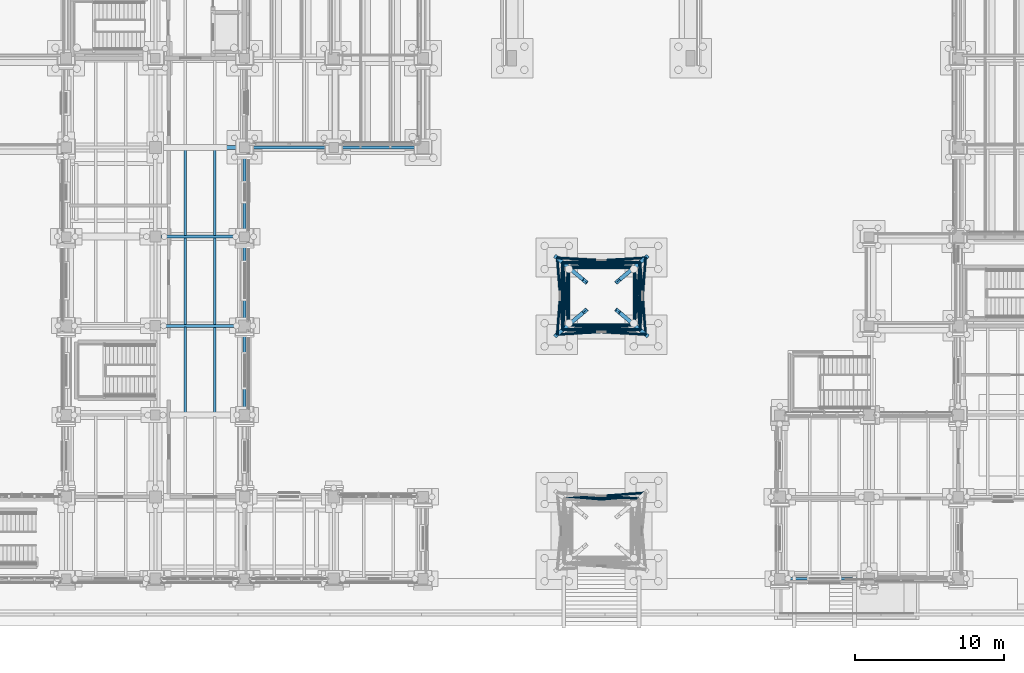
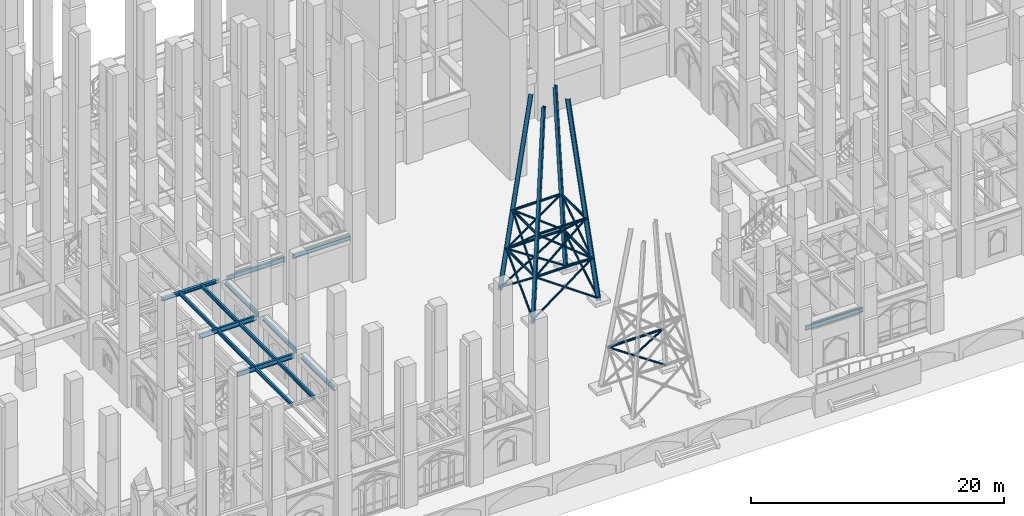
# One storey, part 40 of 135: 39 members, 15 beams.
"""IFC4 building model written with IfcOpenShell, lengths in metres."""

from ifc_helpers import new_model, si_unit, direction, frame, origin, origin_2d, place, context, subcontext, project, spatial, hollow_circle, i_section, extrude, material, material_profile, profile_set, type_object, element, save


model = new_model("IFC4")

# Units and contexts
model_context = context("Model", 3, precision=1e-05, world=origin(), true_north=direction((0.0, 1.0)))
body_context = subcontext(model_context, "Body", "Model", "MODEL_VIEW")
ifc_project = project(units=[si_unit("LENGTHUNIT", "METRE"), si_unit("AREAUNIT", "SQUARE_METRE"), si_unit("VOLUMEUNIT", "CUBIC_METRE"), si_unit("PLANEANGLEUNIT", "RADIAN"), si_unit("MASSUNIT", "GRAM", prefix="KILO")], contexts=[model_context])

# Site, building, storey
site_placement = place(None, origin())
site = spatial("IfcSite", under=ifc_project, at=site_placement, CompositionType="ELEMENT")
building_placement = place(site_placement, origin())
building = spatial("IfcBuilding", under=site, at=building_placement, Name="Cumevento Cable Car Station", CompositionType="ELEMENT")
storey_placement = place(building_placement, origin())
storey = spatial("IfcBuildingStorey", under=building, at=storey_placement, Name="L01", CompositionType="ELEMENT", Elevation=0.0)

# Members
ifc_material_1 = material(Name="Steel ASTM A572 Grade 50", Category="steel")
ifc_material_profile_1 = material_profile(ifc_material_1, hollow_circle(Radius=0.109619140625, WallThickness=0.012451171875, at=origin_2d()), Name="CHS219.1x12.5")
ifc_profile_set_1 = profile_set([ifc_material_profile_1], Name="Steel ASTM A572 Grade 50")
member_type_1 = type_object("IfcMemberType", Name="Framing Brace TD-01 CHS219.1x12.5", PredefinedType="BRACE", material=ifc_profile_set_1)
member_1_placement = place(storey_placement, frame((91.4013671875, 20.738037109375, 4.080078125), z_axis=(1.0, 0.0, 0.0), x_axis=(0.0, 1.0, 0.0)))
element("IfcMember", 1, at=member_1_placement, inside=storey, type_object=member_type_1, Name="PYLON_S01 Horizontal Lattice Girt #497", PredefinedType="BRACE", context=body_context, shape_type="SweptSolid", body=[
    extrude(hollow_circle(Radius=0.109619140625, WallThickness=0.012451171875, at=origin_2d()), origin(), (0.0, 0.0, 1.0), 5.197265625),
])
member_2_placement = place(storey_placement, frame((96.5986328125, 20.738037109375, 4.080078125), z_axis=(0.0, 1.0, 0.0), x_axis=(-1.0, 0.0, 0.0)))
element("IfcMember", 2, at=member_2_placement, inside=storey, type_object=member_type_1, Name="PYLON_S01 Horizontal Lattice Girt #501", PredefinedType="BRACE", context=body_context, shape_type="SweptSolid", body=[
    extrude(hollow_circle(Radius=0.109619140625, WallThickness=0.012451171875, at=origin_2d()), origin(), (0.0, 0.0, 1.0), 4.52392578125),
])
member_3_placement = place(storey_placement, frame((96.5986328125, 25.261962890625, 4.080078125), z_axis=(-1.0, 0.0, 0.0), x_axis=(0.0, -1.0, 0.0)))
element("IfcMember", 3, at=member_3_placement, inside=storey, type_object=member_type_1, Name="PYLON_S01 Horizontal Lattice Girt #505", PredefinedType="BRACE", context=body_context, shape_type="SweptSolid", body=[
    extrude(hollow_circle(Radius=0.109619140625, WallThickness=0.012451171875, at=origin_2d()), origin(), (0.0, 0.0, 1.0), 5.197265625),
])
member_4_placement = place(storey_placement, frame((91.4013671875, 25.261962890625, 4.080078125), z_axis=(0.0, -1.0, 0.0), x_axis=(1.0, 0.0, 0.0)))
element("IfcMember", 4, at=member_4_placement, inside=storey, type_object=member_type_1, Name="PYLON_S01 Horizontal Lattice Girt #509", PredefinedType="BRACE", context=body_context, shape_type="SweptSolid", body=[
    extrude(hollow_circle(Radius=0.109619140625, WallThickness=0.012451171875, at=origin_2d()), origin(), (0.0, 0.0, 1.0), 4.52392578125),
])
member_5_placement = place(storey_placement, frame((91.776123046875, 21.053466796875, 7.860107421875), z_axis=(1.0, 0.0, 0.0), x_axis=(0.0, 1.0, 0.0)))
element("IfcMember", 5, at=member_5_placement, inside=storey, type_object=member_type_1, Name="PYLON_S01 Horizontal Lattice Girt #513", PredefinedType="BRACE", context=body_context, shape_type="SweptSolid", body=[
    extrude(hollow_circle(Radius=0.109619140625, WallThickness=0.012451171875, at=origin_2d()), origin(), (0.0, 0.0, 1.0), 4.44775390625),
])
member_6_placement = place(storey_placement, frame((96.223876953125, 21.053466796875, 7.860107421875), z_axis=(0.0, 1.0, 0.0), x_axis=(-1.0, 0.0, 0.0)))
element("IfcMember", 6, at=member_6_placement, inside=storey, type_object=member_type_1, Name="PYLON_S01 Horizontal Lattice Girt #517", PredefinedType="BRACE", context=body_context, shape_type="SweptSolid", body=[
    extrude(hollow_circle(Radius=0.109619140625, WallThickness=0.012451171875, at=origin_2d()), origin(), (0.0, 0.0, 1.0), 3.89306640625),
])
member_7_placement = place(storey_placement, frame((96.223876953125, 24.946533203125, 7.860107421875), z_axis=(-1.0, 0.0, 0.0), x_axis=(0.0, -1.0, 0.0)))
element("IfcMember", 7, at=member_7_placement, inside=storey, type_object=member_type_1, Name="PYLON_S01 Horizontal Lattice Girt #521", PredefinedType="BRACE", context=body_context, shape_type="SweptSolid", body=[
    extrude(hollow_circle(Radius=0.109619140625, WallThickness=0.012451171875, at=origin_2d()), origin(), (0.0, 0.0, 1.0), 4.44775390625),
])
member_8_placement = place(storey_placement, frame((91.776123046875, 24.946533203125, 7.860107421875), z_axis=(0.0, -1.0, 0.0), x_axis=(1.0, 0.0, 0.0)))
element("IfcMember", 8, at=member_8_placement, inside=storey, type_object=member_type_1, Name="PYLON_S01 Horizontal Lattice Girt #525", PredefinedType="BRACE", context=body_context, shape_type="SweptSolid", body=[
    extrude(hollow_circle(Radius=0.109619140625, WallThickness=0.012451171875, at=origin_2d()), origin(), (0.0, 0.0, 1.0), 3.89306640625),
])
member_9_placement = place(storey_placement, frame((96.50048828125, 9.37939453125, 4.175048828125), z_axis=(-1.0, 0.0, 0.0), x_axis=(0.0, -1.0, 0.0)))
element("IfcMember", 9, at=member_9_placement, inside=storey, type_object=member_type_1, Name="PYLON_S02 Horizontal Lattice Girt #595", PredefinedType="BRACE", context=body_context, shape_type="SweptSolid", body=[
    extrude(hollow_circle(Radius=0.109619140625, WallThickness=0.012451171875, at=origin_2d()), origin(), (0.0, 0.0, 1.0), 5.0009765625),
])
ifc_material_2 = material(Name="Steel ASTM A572 Grade 50", Category="steel")
ifc_material_profile_2 = material_profile(ifc_material_2, hollow_circle(Radius=0.084228515625, WallThickness=0.010009765625, at=origin_2d()), Name="CHS168.3x10.0")
ifc_profile_set_2 = profile_set([ifc_material_profile_2], Name="Steel ASTM A572 Grade 50")
member_type_2 = type_object("IfcMemberType", Name="Framing Brace TD-02 CHS168.3x10.0", PredefinedType="BRACE", material=ifc_profile_set_2)
member_10_placement = place(storey_placement, frame((91.02685546875, 20.422607421875, 0.300048828125), z_axis=(0.826625703479, 0.046796968228, 0.560802986897), x_axis=(-0.05652153987, 0.998401379972, 0.0)))
element("IfcMember", 10, at=member_10_placement, inside=storey, type_object=member_type_2, Name="PYLON_S01 Lattice X-Brace A #498", PredefinedType="BRACE", context=body_context, shape_type="SweptSolid", body=[
    extrude(hollow_circle(Radius=0.084228515625, WallThickness=0.010009765625, at=origin_2d()), origin(), (0.0, 0.0, 1.0), 6.740478515625),
])
member_11_placement = place(storey_placement, frame((96.97314453125, 20.422607421875, 0.300048828125), z_axis=(-0.826621974621, 0.046780701326, 0.560809840371), x_axis=(-0.056502209448, -0.998402474119, 0.0)))
element("IfcMember", 11, at=member_11_placement, inside=storey, type_object=member_type_2, Name="PYLON_S01 Lattice X-Brace B Lower #499", PredefinedType="BRACE", context=body_context, shape_type="SweptSolid", body=[
    extrude(hollow_circle(Radius=0.084228515625, WallThickness=0.010009765625, at=origin_2d()), origin(), (0.0, 0.0, 1.0), 3.49658203125),
])
member_12_placement = place(storey_placement, frame((93.917236328125, 20.595703125, 2.373291015625), z_axis=(-0.826632954183, 0.046766328218, 0.560794855186), x_axis=(-0.056484157004, -0.998403495591, 0.0)))
element("IfcMember", 12, at=member_12_placement, inside=storey, type_object=member_type_2, Name="PYLON_S01 Lattice X-Brace B Upper #500", PredefinedType="BRACE", context=body_context, shape_type="SweptSolid", body=[
    extrude(hollow_circle(Radius=0.084228515625, WallThickness=0.010009765625, at=origin_2d()), origin(), (0.0, 0.0, 1.0), 3.04345703125),
])
member_13_placement = place(storey_placement, frame((96.97314453125, 20.422607421875, 0.300048828125), z_axis=(-0.060875502124, 0.786619428359, 0.614429856184), x_axis=(-0.997018873771, -0.077158054302, 0.0)))
element("IfcMember", 13, at=member_13_placement, inside=storey, type_object=member_type_2, Name="PYLON_S01 Lattice X-Brace A #502", PredefinedType="BRACE", context=body_context, shape_type="SweptSolid", body=[
    extrude(hollow_circle(Radius=0.084228515625, WallThickness=0.010009765625, at=origin_2d()), origin(), (0.0, 0.0, 1.0), 6.152099609375),
])
member_14_placement = place(storey_placement, frame((96.97314453125, 25.577392578125, 0.300048828125), z_axis=(-0.060871497575, -0.786641133437, 0.614402464162), x_axis=(0.997019427972, -0.077150892717, 0.0)))
element("IfcMember", 14, at=member_14_placement, inside=storey, type_object=member_type_2, Name="PYLON_S01 Lattice X-Brace B Lower #503", PredefinedType="BRACE", context=body_context, shape_type="SweptSolid", body=[
    extrude(hollow_circle(Radius=0.084228515625, WallThickness=0.010009765625, at=origin_2d()), origin(), (0.0, 0.0, 1.0), 3.176513671875),
])
member_15_placement = place(storey_placement, frame((96.767578125, 22.92138671875, 2.37451171875), z_axis=(-0.060865823118, -0.786594011768, 0.614463353038), x_axis=(0.997019625706, -0.077148337358, 0.0)))
element("IfcMember", 15, at=member_15_placement, inside=storey, type_object=member_type_2, Name="PYLON_S01 Lattice X-Brace B Upper #504", PredefinedType="BRACE", context=body_context, shape_type="SweptSolid", body=[
    extrude(hollow_circle(Radius=0.084228515625, WallThickness=0.010009765625, at=origin_2d()), origin(), (0.0, 0.0, 1.0), 2.775634765625),
])
member_16_placement = place(storey_placement, frame((96.97314453125, 25.577392578125, 0.300048828125), z_axis=(-0.826625703479, -0.046796968228, 0.560802986897), x_axis=(0.05652153987, -0.998401379972, 0.0)))
element("IfcMember", 16, at=member_16_placement, inside=storey, type_object=member_type_2, Name="PYLON_S01 Lattice X-Brace A #506", PredefinedType="BRACE", context=body_context, shape_type="SweptSolid", body=[
    extrude(hollow_circle(Radius=0.084228515625, WallThickness=0.010009765625, at=origin_2d()), origin(), (0.0, 0.0, 1.0), 6.740478515625),
])
member_17_placement = place(storey_placement, frame((91.02685546875, 25.577392578125, 0.300048828125), z_axis=(0.826621974621, -0.046780701326, 0.560809840371), x_axis=(0.056502209448, 0.998402474119, 0.0)))
element("IfcMember", 17, at=member_17_placement, inside=storey, type_object=member_type_2, Name="PYLON_S01 Lattice X-Brace B Lower #507", PredefinedType="BRACE", context=body_context, shape_type="SweptSolid", body=[
    extrude(hollow_circle(Radius=0.084228515625, WallThickness=0.010009765625, at=origin_2d()), origin(), (0.0, 0.0, 1.0), 3.49658203125),
])
member_18_placement = place(storey_placement, frame((94.082763671875, 25.404296875, 2.373291015625), z_axis=(0.826632954183, -0.046766328218, 0.560794855186), x_axis=(0.056484157004, 0.998403495591, 0.0)))
element("IfcMember", 18, at=member_18_placement, inside=storey, type_object=member_type_2, Name="PYLON_S01 Lattice X-Brace B Upper #508", PredefinedType="BRACE", context=body_context, shape_type="SweptSolid", body=[
    extrude(hollow_circle(Radius=0.084228515625, WallThickness=0.010009765625, at=origin_2d()), origin(), (0.0, 0.0, 1.0), 3.04345703125),
])
member_19_placement = place(storey_placement, frame((91.02685546875, 25.577392578125, 0.300048828125), z_axis=(0.060875502124, -0.786619428359, 0.614429856184), x_axis=(0.997018873771, 0.077158054302, 0.0)))
element("IfcMember", 19, at=member_19_placement, inside=storey, type_object=member_type_2, Name="PYLON_S01 Lattice X-Brace A #510", PredefinedType="BRACE", context=body_context, shape_type="SweptSolid", body=[
    extrude(hollow_circle(Radius=0.084228515625, WallThickness=0.010009765625, at=origin_2d()), origin(), (0.0, 0.0, 1.0), 6.152099609375),
])
member_20_placement = place(storey_placement, frame((91.02685546875, 20.422607421875, 0.300048828125), z_axis=(0.060871497575, 0.786641133437, 0.614402464162), x_axis=(-0.997019427972, 0.077150892717, 0.0)))
element("IfcMember", 20, at=member_20_placement, inside=storey, type_object=member_type_2, Name="PYLON_S01 Lattice X-Brace B Lower #511", PredefinedType="BRACE", context=body_context, shape_type="SweptSolid", body=[
    extrude(hollow_circle(Radius=0.084228515625, WallThickness=0.010009765625, at=origin_2d()), origin(), (0.0, 0.0, 1.0), 3.176513671875),
])
member_21_placement = place(storey_placement, frame((91.232421875, 23.07861328125, 2.37451171875), z_axis=(0.060865823118, 0.786594011768, 0.614463353038), x_axis=(-0.997019625706, 0.077148337358, 0.0)))
element("IfcMember", 21, at=member_21_placement, inside=storey, type_object=member_type_2, Name="PYLON_S01 Lattice X-Brace B Upper #512", PredefinedType="BRACE", context=body_context, shape_type="SweptSolid", body=[
    extrude(hollow_circle(Radius=0.084228515625, WallThickness=0.010009765625, at=origin_2d()), origin(), (0.0, 0.0, 1.0), 2.775634765625),
])
member_22_placement = place(storey_placement, frame((91.4013671875, 20.738037109375, 4.080078125), z_axis=(0.785997369838, 0.051410347888, 0.616088557545), x_axis=(-0.065268320402, 0.997867749931, 0.0)))
element("IfcMember", 22, at=member_22_placement, inside=storey, type_object=member_type_2, Name="PYLON_S01 Lattice X-Brace A #514", PredefinedType="BRACE", context=body_context, shape_type="SweptSolid", body=[
    extrude(hollow_circle(Radius=0.084228515625, WallThickness=0.010009765625, at=origin_2d()), origin(), (0.0, 0.0, 1.0), 6.135498046875),
])
member_23_placement = place(storey_placement, frame((96.5986328125, 20.738037109375, 4.080078125), z_axis=(-0.786023477359, 0.051401457781, 0.616055990296), x_axis=(-0.065254923717, -0.997868626088, 0.0)))
element("IfcMember", 23, at=member_23_placement, inside=storey, type_object=member_type_2, Name="PYLON_S01 Lattice X-Brace B Lower #515", PredefinedType="BRACE", context=body_context, shape_type="SweptSolid", body=[
    extrude(hollow_circle(Radius=0.084228515625, WallThickness=0.010009765625, at=origin_2d()), origin(), (0.0, 0.0, 1.0), 3.2060546875),
])
member_24_placement = place(storey_placement, frame((93.92138671875, 20.9130859375, 6.178466796875), z_axis=(-0.78597549708, 0.051432333085, 0.616114626594), x_axis=(-0.065297922231, -0.9978658133, 0.0)))
element("IfcMember", 24, at=member_24_placement, inside=storey, type_object=member_type_2, Name="PYLON_S01 Lattice X-Brace B Upper #516", PredefinedType="BRACE", context=body_context, shape_type="SweptSolid", body=[
    extrude(hollow_circle(Radius=0.084228515625, WallThickness=0.010009765625, at=origin_2d()), origin(), (0.0, 0.0, 1.0), 2.7294921875),
])
member_25_placement = place(storey_placement, frame((96.5986328125, 20.738037109375, 4.080078125), z_axis=(-0.066103141354, 0.742336124212, 0.666758916996), x_axis=(-0.99605869936, -0.088696490516, 0.0)))
element("IfcMember", 25, at=member_25_placement, inside=storey, type_object=member_type_2, Name="PYLON_S01 Lattice X-Brace A #518", PredefinedType="BRACE", context=body_context, shape_type="SweptSolid", body=[
    extrude(hollow_circle(Radius=0.084228515625, WallThickness=0.010009765625, at=origin_2d()), origin(), (0.0, 0.0, 1.0), 5.669189453125),
])
member_26_placement = place(storey_placement, frame((96.5986328125, 25.261962890625, 4.080078125), z_axis=(-0.06610940311, -0.742363861241, 0.666727413823), x_axis=(0.996058249868, -0.088701538154, 0.0)))
element("IfcMember", 26, at=member_26_placement, inside=storey, type_object=member_type_2, Name="PYLON_S01 Lattice X-Brace B Lower #519", PredefinedType="BRACE", context=body_context, shape_type="SweptSolid", body=[
    extrude(hollow_circle(Radius=0.084228515625, WallThickness=0.010009765625, at=origin_2d()), origin(), (0.0, 0.0, 1.0), 2.947021484375),
])
member_27_placement = place(storey_placement, frame((96.390625, 22.92578125, 6.178466796875), z_axis=(-0.066113241056, -0.742346186903, 0.666746712138), x_axis=(0.996057608273, -0.088708742528, 0.0)))
element("IfcMember", 27, at=member_27_placement, inside=storey, type_object=member_type_2, Name="PYLON_S01 Lattice X-Brace B Upper #520", PredefinedType="BRACE", context=body_context, shape_type="SweptSolid", body=[
    extrude(hollow_circle(Radius=0.084228515625, WallThickness=0.010009765625, at=origin_2d()), origin(), (0.0, 0.0, 1.0), 2.522216796875),
])
member_28_placement = place(storey_placement, frame((96.5986328125, 25.261962890625, 4.080078125), z_axis=(-0.785997369838, -0.051410347888, 0.616088557545), x_axis=(0.065268320402, -0.997867749931, 0.0)))
element("IfcMember", 28, at=member_28_placement, inside=storey, type_object=member_type_2, Name="PYLON_S01 Lattice X-Brace A #522", PredefinedType="BRACE", context=body_context, shape_type="SweptSolid", body=[
    extrude(hollow_circle(Radius=0.084228515625, WallThickness=0.010009765625, at=origin_2d()), origin(), (0.0, 0.0, 1.0), 6.135498046875),
])
member_29_placement = place(storey_placement, frame((91.4013671875, 25.261962890625, 4.080078125), z_axis=(0.786023477359, -0.051401457781, 0.616055990296), x_axis=(0.065254923717, 0.997868626088, 0.0)))
element("IfcMember", 29, at=member_29_placement, inside=storey, type_object=member_type_2, Name="PYLON_S01 Lattice X-Brace B Lower #523", PredefinedType="BRACE", context=body_context, shape_type="SweptSolid", body=[
    extrude(hollow_circle(Radius=0.084228515625, WallThickness=0.010009765625, at=origin_2d()), origin(), (0.0, 0.0, 1.0), 3.2060546875),
])
member_30_placement = place(storey_placement, frame((94.07861328125, 25.0869140625, 6.178466796875), z_axis=(0.78597549708, -0.051432333085, 0.616114626594), x_axis=(0.065297922231, 0.9978658133, 0.0)))
element("IfcMember", 30, at=member_30_placement, inside=storey, type_object=member_type_2, Name="PYLON_S01 Lattice X-Brace B Upper #524", PredefinedType="BRACE", context=body_context, shape_type="SweptSolid", body=[
    extrude(hollow_circle(Radius=0.084228515625, WallThickness=0.010009765625, at=origin_2d()), origin(), (0.0, 0.0, 1.0), 2.7294921875),
])
member_31_placement = place(storey_placement, frame((91.4013671875, 25.261962890625, 4.080078125), z_axis=(0.066103141354, -0.742336124212, 0.666758916996), x_axis=(0.99605869936, 0.088696490516, 0.0)))
element("IfcMember", 31, at=member_31_placement, inside=storey, type_object=member_type_2, Name="PYLON_S01 Lattice X-Brace A #526", PredefinedType="BRACE", context=body_context, shape_type="SweptSolid", body=[
    extrude(hollow_circle(Radius=0.084228515625, WallThickness=0.010009765625, at=origin_2d()), origin(), (0.0, 0.0, 1.0), 5.669189453125),
])
member_32_placement = place(storey_placement, frame((91.4013671875, 20.738037109375, 4.080078125), z_axis=(0.06610940311, 0.742363861241, 0.666727413823), x_axis=(-0.996058249868, 0.088701538154, 0.0)))
element("IfcMember", 32, at=member_32_placement, inside=storey, type_object=member_type_2, Name="PYLON_S01 Lattice X-Brace B Lower #527", PredefinedType="BRACE", context=body_context, shape_type="SweptSolid", body=[
    extrude(hollow_circle(Radius=0.084228515625, WallThickness=0.010009765625, at=origin_2d()), origin(), (0.0, 0.0, 1.0), 2.947021484375),
])
member_33_placement = place(storey_placement, frame((91.609375, 23.07421875, 6.178466796875), z_axis=(0.066113241056, 0.742346186903, 0.666746712138), x_axis=(-0.996057608273, 0.088708742528, 0.0)))
element("IfcMember", 33, at=member_33_placement, inside=storey, type_object=member_type_2, Name="PYLON_S01 Lattice X-Brace B Upper #528", PredefinedType="BRACE", context=body_context, shape_type="SweptSolid", body=[
    extrude(hollow_circle(Radius=0.084228515625, WallThickness=0.010009765625, at=origin_2d()), origin(), (0.0, 0.0, 1.0), 2.522216796875),
])
member_34_placement = place(storey_placement, frame((96.967529296875, 9.772705078125, 0.300048828125), z_axis=(-0.814494894131, -0.058586028238, 0.577205114955), x_axis=(0.071743920589, -0.997423084683, 0.0)))
element("IfcMember", 34, at=member_34_placement, inside=storey, type_object=member_type_2, Name="PYLON_S02 Lattice X-Brace A #596", PredefinedType="BRACE", context=body_context, shape_type="SweptSolid", body=[
    extrude(hollow_circle(Radius=0.084228515625, WallThickness=0.010009765625, at=origin_2d()), origin(), (0.0, 0.0, 1.0), 6.71337890625),
])
member_35_placement = place(storey_placement, frame((94.08154296875, 9.553466796875, 2.460693359375), z_axis=(0.814472985825, -0.058611146437, 0.57723347865), x_axis=(0.07177644238, 0.997420744881, 0.0)))
element("IfcMember", 35, at=member_35_placement, inside=storey, type_object=member_type_2, Name="PYLON_S02 Lattice X-Brace B Upper #598", PredefinedType="BRACE", context=body_context, shape_type="SweptSolid", body=[
    extrude(hollow_circle(Radius=0.084228515625, WallThickness=0.010009765625, at=origin_2d()), origin(), (0.0, 0.0, 1.0), 2.969970703125),
])
ifc_material_3 = material(Name="Steel ASTM A572 Grade 50", Category="steel")
ifc_material_profile_3 = material_profile(ifc_material_3, i_section(OverallWidth=0.257080078125, OverallDepth=0.363037109375, WebThickness=0.012939453125, FlangeThickness=0.021728515625, at=origin_2d()), Name="W360x122.0")
ifc_profile_set_3 = profile_set([ifc_material_profile_3], Name="Steel ASTM A572 Grade 50")
member_type_3 = type_object("IfcMemberType", Name="Framing Chord TC-01 W360x122.0", PredefinedType="CHORD", material=ifc_profile_set_3)
for number, where, z_axis, x_axis, name in (
    (36, (91.0, 20.39990234375, 0.030029296875), (0.098286843479, 0.082777174526, 0.991709451289), (-0.644178118457, 0.764875513859, 0.0), "PYLON_S01 Tapered Lattice Corner Leg #493"),
    (37, (97.0, 20.39990234375, 0.030029296875), (-0.098286843479, 0.082777174526, 0.991709451289), (-0.644178118457, -0.764875513859, 0.0), "PYLON_S01 Tapered Lattice Corner Leg #494"),
    (38, (97.0, 25.60009765625, 0.030029296875), (-0.098286843479, -0.082777174526, 0.991709451289), (0.644178118457, -0.764875513859, 0.0), "PYLON_S01 Tapered Lattice Corner Leg #495"),
    (39, (91.0, 25.60009765625, 0.030029296875), (0.098286843479, -0.082777174526, 0.991709451289), (0.644178118457, 0.764875513859, 0.0), "PYLON_S01 Tapered Lattice Corner Leg #496"),
):
    element("IfcMember", number, at=place(storey_placement, frame(where, z_axis=z_axis, x_axis=x_axis)), inside=storey, type_object=member_type_3, Name=name, PredefinedType="CHORD", context=body_context, shape_type="SweptSolid", body=[
        extrude(i_section(OverallWidth=0.257080078125, OverallDepth=0.363037109375, WebThickness=0.012939453125, FlangeThickness=0.021728515625, at=origin_2d()), origin(), (0.0, 0.0, 1.0), 19.330078125),
    ])

# Beams
ifc_material_4 = material(Name="Steel ASTM A572 Grade 50", Category="steel")
ifc_material_profile_4 = material_profile(ifc_material_4, i_section(OverallWidth=0.18994140625, OverallDepth=0.45703125, WebThickness=0.009033203125, FlangeThickness=0.014404296875, at=origin_2d()), Name="W460x74.0")
ifc_profile_set_4 = profile_set([ifc_material_profile_4], Name="Steel ASTM A572 Grade 50")
beam_type_1 = type_object("IfcBeamType", Name="Structural Beam BM-04 W460x74.0", PredefinedType="BEAM", material=ifc_profile_set_4)
beam_1_placement = place(storey_placement, frame((64.375, 27.0, 4.0234375), z_axis=(1.0, 0.0, 0.0), x_axis=(0.0, 1.0, 0.0)))
element("IfcBeam", 40, at=beam_1_placement, inside=storey, type_object=beam_type_1, Name="Beam BM-04 L01 #57", PredefinedType="BEAM", context=body_context, shape_type="SweptSolid", body=[
    extrude(i_section(OverallWidth=0.18994140625, OverallDepth=0.45703125, WebThickness=0.009033203125, FlangeThickness=0.014404296875, at=origin_2d()), origin(), (0.0, 0.0, 1.0), 5.300048828125),
])
ifc_material_5 = material(Name="Steel ASTM A572 Grade 50", Category="steel")
ifc_material_profile_5 = material_profile(ifc_material_5, i_section(OverallWidth=0.25390625, OverallDepth=0.305908203125, WebThickness=0.0087890625, FlangeThickness=0.0146484375, at=origin_2d()), Name="W310x79.0")
ifc_profile_set_5 = profile_set([ifc_material_profile_5], Name="Steel ASTM A572 Grade 50")
beam_type_2 = type_object("IfcBeamType", Name="Structural Beam BM-06 W310x79.0", PredefinedType="BEAM", material=ifc_profile_set_5)
beam_2_placement = place(storey_placement, frame((64.39990234375, 33.0, 3.95703125), z_axis=(1.0, 0.0, 0.0), x_axis=(0.0, 1.0, 0.0)))
element("IfcBeam", 41, at=beam_2_placement, inside=storey, type_object=beam_type_2, Name="Beam BM-06 L01 #59", PredefinedType="BEAM", context=body_context, shape_type="SweptSolid", body=[
    extrude(i_section(OverallWidth=0.25390625, OverallDepth=0.305908203125, WebThickness=0.0087890625, FlangeThickness=0.0146484375, at=origin_2d()), origin(), (0.0, 0.0, 1.0), 5.25),
])
ifc_material_6 = material(Name="Steel ASTM A572 Grade 50", Category="steel")
ifc_material_profile_6 = material_profile(ifc_material_6, i_section(OverallWidth=0.19189453125, OverallDepth=0.462890625, WebThickness=0.010498046875, FlangeThickness=0.017578125, at=origin_2d()), Name="W460x89.0")
ifc_profile_set_6 = profile_set([ifc_material_profile_6], Name="Steel ASTM A572 Grade 50")
beam_type_3 = type_object("IfcBeamType", Name="Structural Beam BM-10 W460x89.0", PredefinedType="BEAM", material=ifc_profile_set_6)
beam_3_placement = place(storey_placement, frame((64.35009765625, 21.0, 4.0205078125), z_axis=(1.0, 0.0, 0.0), x_axis=(0.0, 1.0, 0.0)))
element("IfcBeam", 42, at=beam_3_placement, inside=storey, type_object=beam_type_3, Name="Beam BM-10 L01 #55", PredefinedType="BEAM", context=body_context, shape_type="SweptSolid", body=[
    extrude(i_section(OverallWidth=0.19189453125, OverallDepth=0.462890625, WebThickness=0.010498046875, FlangeThickness=0.017578125, at=origin_2d()), origin(), (0.0, 0.0, 1.0), 5.25),
])
ifc_material_7 = material(Name="Steel ASTM A572 Grade 50", Category="steel")
ifc_material_profile_7 = material_profile(ifc_material_7, i_section(OverallWidth=0.1708984375, OverallDepth=0.35498046875, WebThickness=0.007080078125, FlangeThickness=0.01171875, at=origin_2d()), Name="W360x51.0")
ifc_profile_set_7 = profile_set([ifc_material_profile_7], Name="Steel ASTM A572 Grade 50")
beam_type_4 = type_object("IfcBeamType", Name="Structural Joist JS-01 W360x51.0", PredefinedType="JOIST", material=ifc_profile_set_7)
beam_4_placement = place(storey_placement, frame((66.0, 15.089599609375, 4.074462890625), z_axis=(0.0, 1.0, 0.0), x_axis=(-1.0, 0.0, 0.0)))
element("IfcBeam", 43, at=beam_4_placement, inside=storey, type_object=beam_type_4, Name="Composite Floor Joist JS-01 L01 #344", PredefinedType="JOIST", context=body_context, shape_type="SweptSolid", body=[
    extrude(i_section(OverallWidth=0.1708984375, OverallDepth=0.35498046875, WebThickness=0.007080078125, FlangeThickness=0.01171875, at=origin_2d()), origin(), (0.0, 0.0, 1.0), 5.826416015625),
])
beam_5_placement = place(storey_placement, frame((66.0, 21.083984375, 4.074462890625), z_axis=(0.0, 1.0, 0.0), x_axis=(-1.0, 0.0, 0.0)))
element("IfcBeam", 44, at=beam_5_placement, inside=storey, type_object=beam_type_4, Name="Composite Floor Joist JS-01 L01 #345", PredefinedType="JOIST", context=body_context, shape_type="SweptSolid", body=[
    extrude(i_section(OverallWidth=0.1708984375, OverallDepth=0.35498046875, WebThickness=0.007080078125, FlangeThickness=0.01171875, at=origin_2d()), origin(), (0.0, 0.0, 1.0), 5.8330078125),
])
beam_6_placement = place(storey_placement, frame((66.0, 27.0830078125, 4.074462890625), z_axis=(0.0, 1.0, 0.0), x_axis=(-1.0, 0.0, 0.0)))
element("IfcBeam", 45, at=beam_6_placement, inside=storey, type_object=beam_type_4, Name="Composite Floor Joist JS-01 L01 #346", PredefinedType="JOIST", context=body_context, shape_type="SweptSolid", body=[
    extrude(i_section(OverallWidth=0.1708984375, OverallDepth=0.35498046875, WebThickness=0.007080078125, FlangeThickness=0.01171875, at=origin_2d()), origin(), (0.0, 0.0, 1.0), 5.802001953125),
])
beam_7_placement = place(storey_placement, frame((68.0, 15.089599609375, 4.074462890625), z_axis=(0.0, 1.0, 0.0), x_axis=(-1.0, 0.0, 0.0)))
element("IfcBeam", 46, at=beam_7_placement, inside=storey, type_object=beam_type_4, Name="Composite Floor Joist JS-01 L01 #349", PredefinedType="JOIST", context=body_context, shape_type="SweptSolid", body=[
    extrude(i_section(OverallWidth=0.1708984375, OverallDepth=0.35498046875, WebThickness=0.007080078125, FlangeThickness=0.01171875, at=origin_2d()), origin(), (0.0, 0.0, 1.0), 5.826416015625),
])
beam_8_placement = place(storey_placement, frame((68.0, 21.083984375, 4.074462890625), z_axis=(0.0, 1.0, 0.0), x_axis=(-1.0, 0.0, 0.0)))
element("IfcBeam", 47, at=beam_8_placement, inside=storey, type_object=beam_type_4, Name="Composite Floor Joist JS-01 L01 #350", PredefinedType="JOIST", context=body_context, shape_type="SweptSolid", body=[
    extrude(i_section(OverallWidth=0.1708984375, OverallDepth=0.35498046875, WebThickness=0.007080078125, FlangeThickness=0.01171875, at=origin_2d()), origin(), (0.0, 0.0, 1.0), 5.8330078125),
])
beam_9_placement = place(storey_placement, frame((68.0, 27.0830078125, 4.074462890625), z_axis=(0.0, 1.0, 0.0), x_axis=(-1.0, 0.0, 0.0)))
element("IfcBeam", 48, at=beam_9_placement, inside=storey, type_object=beam_type_4, Name="Composite Floor Joist JS-01 L01 #351", PredefinedType="JOIST", context=body_context, shape_type="SweptSolid", body=[
    extrude(i_section(OverallWidth=0.1708984375, OverallDepth=0.35498046875, WebThickness=0.007080078125, FlangeThickness=0.01171875, at=origin_2d()), origin(), (0.0, 0.0, 1.0), 5.802001953125),
])
ifc_material_8 = material(Name="Steel ASTM A572 Grade 50", Category="steel")
ifc_material_profile_8 = material_profile(ifc_material_8, i_section(OverallWidth=0.177978515625, OverallDepth=0.406982421875, WebThickness=0.0078125, FlangeThickness=0.0126953125, at=origin_2d()), Name="W410x60.0")
ifc_profile_set_8 = profile_set([ifc_material_profile_8], Name="Steel ASTM A572 Grade 50")
beam_type_5 = type_object("IfcBeamType", Name="Structural Spandrel SP-01 W410x60.0", PredefinedType="SPANDREL", material=ifc_profile_set_8)
beam_10_placement = place(storey_placement, frame((106.35009765625, 4.0, 4.060546875), z_axis=(1.0, 0.0, 0.0), x_axis=(0.0, 1.0, 0.0)))
element("IfcBeam", 49, at=beam_10_placement, inside=storey, type_object=beam_type_5, Name="Beam SP-01 L01 #40", PredefinedType="SPANDREL", context=body_context, shape_type="SweptSolid", body=[
    extrude(i_section(OverallWidth=0.177978515625, OverallDepth=0.406982421875, WebThickness=0.0078125, FlangeThickness=0.0126953125, at=origin_2d()), origin(), (0.0, 0.0, 1.0), 5.27490234375),
])
beam_11_placement = place(storey_placement, frame((70.0, 15.375, 4.048583984375), z_axis=(0.0, 1.0, 0.0), x_axis=(-1.0, 0.0, 0.0)))
element("IfcBeam", 50, at=beam_11_placement, inside=storey, type_object=beam_type_5, Name="Beam SP-01 L01 #73", PredefinedType="SPANDREL", context=body_context, shape_type="SweptSolid", body=[
    extrude(i_section(OverallWidth=0.177978515625, OverallDepth=0.406982421875, WebThickness=0.0078125, FlangeThickness=0.0126953125, at=origin_2d()), origin(), (0.0, 0.0, 1.0), 5.22509765625),
])
beam_12_placement = place(storey_placement, frame((70.0, 21.39990234375, 4.048583984375), z_axis=(0.0, 1.0, 0.0), x_axis=(-1.0, 0.0, 0.0)))
element("IfcBeam", 51, at=beam_12_placement, inside=storey, type_object=beam_type_5, Name="Beam SP-01 L01 #74", PredefinedType="SPANDREL", context=body_context, shape_type="SweptSolid", body=[
    extrude(i_section(OverallWidth=0.177978515625, OverallDepth=0.406982421875, WebThickness=0.0078125, FlangeThickness=0.0126953125, at=origin_2d()), origin(), (0.0, 0.0, 1.0), 5.275146484375),
])
for number, where, z_axis, x_axis, name in (
    (52, (70.0, 27.324951171875, 3.906494140625), (0.0, 1.0, 0.0), (-1.0, 0.0, 0.0), "Beam SP-01 L01 #75"),
    (53, (70.35009765625, 33.0, 3.906494140625), (1.0, 0.0, 0.0), (0.0, 1.0, 0.0), "Beam SP-01 L01 #82"),
):
    element("IfcBeam", number, at=place(storey_placement, frame(where, z_axis=z_axis, x_axis=x_axis)), inside=storey, type_object=beam_type_5, Name=name, PredefinedType="SPANDREL", context=body_context, shape_type="SweptSolid", body=[
        extrude(i_section(OverallWidth=0.177978515625, OverallDepth=0.406982421875, WebThickness=0.0078125, FlangeThickness=0.0126953125, at=origin_2d()), origin(), (0.0, 0.0, 1.0), 5.324951171875),
    ])
beam_13_placement = place(storey_placement, frame((76.324951171875, 33.0, 3.906494140625), z_axis=(1.0, 0.0, 0.0), x_axis=(0.0, 1.0, 0.0)))
element("IfcBeam", 54, at=beam_13_placement, inside=storey, type_object=beam_type_5, Name="Beam SP-01 L01 #83", PredefinedType="SPANDREL", context=body_context, shape_type="SweptSolid", body=[
    extrude(i_section(OverallWidth=0.177978515625, OverallDepth=0.406982421875, WebThickness=0.0078125, FlangeThickness=0.0126953125, at=origin_2d()), origin(), (0.0, 0.0, 1.0), 5.275146484375),
])

save(model, "model.ifc")
